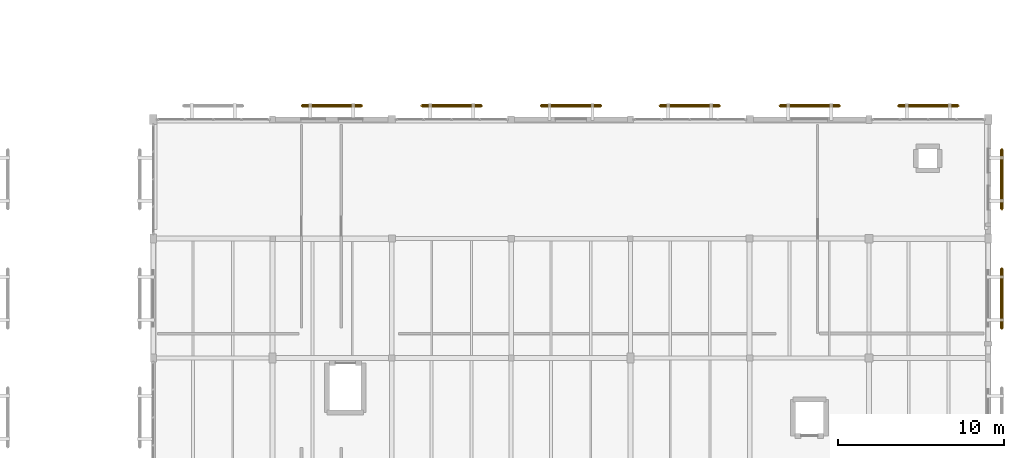
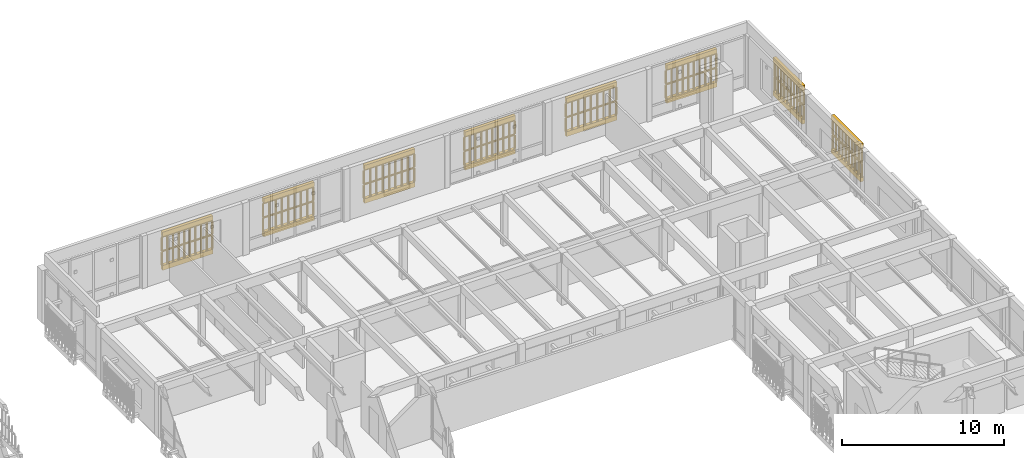
# One storey, part 217 of 217: 16 coverings, 16 railings.
"""IFC4 building model written with IfcOpenShell, lengths in metres."""

from ifc_helpers import new_model, si_unit, direction, frame, origin, origin_2d, place, context, subcontext, project, spatial, polyline, circle, outline, extrude, material, layer, layer_set, type_object, element, save


model = new_model("IFC4")

# Units and contexts
model_context = context("Model", 3, precision=1e-05, world=origin(), true_north=direction((0.0, 1.0)))
body_context = subcontext(model_context, "Body", "Model", "MODEL_VIEW")
ifc_project = project(units=[si_unit("LENGTHUNIT", "METRE"), si_unit("AREAUNIT", "SQUARE_METRE"), si_unit("VOLUMEUNIT", "CUBIC_METRE"), si_unit("PLANEANGLEUNIT", "RADIAN"), si_unit("MASSUNIT", "GRAM", prefix="KILO")], contexts=[model_context])

# Site, building, storey
site_placement = place(None, origin())
site = spatial("IfcSite", under=ifc_project, at=site_placement, CompositionType="ELEMENT")
building_placement = place(site_placement, origin())
building = spatial("IfcBuilding", under=site, at=building_placement, Name="Mazaris Harbour Polytechnic", CompositionType="ELEMENT")
storey_placement = place(building_placement, frame((0.0, 0.0, 9.60009765625)))
storey = spatial("IfcBuildingStorey", under=building, at=storey_placement, Name="L02", CompositionType="ELEMENT", Elevation=9.60009765625)

# Railings
ifc_material_1 = material(Name="Perforated Earth-Coloured Terracotta Block", Category="masonry")
railing_type = type_object("IfcRailingType", Name="Perforated Earth-Block Claustra Lattice 1040", PredefinedType="BALUSTRADE", material=ifc_material_1)
for number, where, name in (
    (1, (131.3798828125, 108.820068359375, 0.52001953125), "V5 L02 Lower Perforated Terracotta Block Screen 413"),
    (2, (131.3798828125, 108.820068359375, 1.60986328125), "V5 L02 Upper Perforated Terracotta Block Screen 413"),
):
    element("IfcRailing", number, at=place(storey_placement, frame(where)), inside=storey, type_object=railing_type, Name=name, PredefinedType="BALUSTRADE", context=body_context, shape_type="SweptSolid", body=[
        extrude(circle(Radius=0.06982421875, at=origin_2d()), frame((0.0, 0.0, 1.02001953125), z_axis=(1.0, 0.0, 0.0), x_axis=(0.0, 1.0, 0.0)), (0.0, 0.0, 1.0), 3.60009765625),
        extrude(circle(Radius=0.074951171875, at=origin_2d()), origin(), (0.0, 0.0, 1.0), 0.9501953125),
        extrude(circle(Radius=0.074951171875, at=origin_2d()), frame((0.39990234375, 0.0, 0.0)), (0.0, 0.0, 1.0), 0.9501953125),
        extrude(circle(Radius=0.074951171875, at=origin_2d()), frame((0.800048828125, 0.0, 0.0)), (0.0, 0.0, 1.0), 0.9501953125),
        extrude(circle(Radius=0.074951171875, at=origin_2d()), frame((1.199951171875, 0.0, 0.0)), (0.0, 0.0, 1.0), 0.9501953125),
        extrude(circle(Radius=0.074951171875, at=origin_2d()), frame((1.60009765625, 0.0, 0.0)), (0.0, 0.0, 1.0), 0.9501953125),
        extrude(circle(Radius=0.074951171875, at=origin_2d()), frame((2.0, 0.0, 0.0)), (0.0, 0.0, 1.0), 0.9501953125),
        extrude(circle(Radius=0.074951171875, at=origin_2d()), frame((2.400146484375, 0.0, 0.0)), (0.0, 0.0, 1.0), 0.9501953125),
        extrude(circle(Radius=0.074951171875, at=origin_2d()), frame((2.800048828125, 0.0, 0.0)), (0.0, 0.0, 1.0), 0.9501953125),
        extrude(circle(Radius=0.074951171875, at=origin_2d()), frame((3.2001953125, 0.0, 0.0)), (0.0, 0.0, 1.0), 0.9501953125),
        extrude(circle(Radius=0.074951171875, at=origin_2d()), frame((3.60009765625, 0.0, 0.0)), (0.0, 0.0, 1.0), 0.9501953125),
    ])
for number, where, name in (
    (3, (138.610107421875, 108.820068359375, 0.52001953125), "V5 L02 Lower Perforated Terracotta Block Screen 414"),
    (4, (138.610107421875, 108.820068359375, 1.60986328125), "V5 L02 Upper Perforated Terracotta Block Screen 414"),
    (5, (145.81005859375, 108.820068359375, 0.52001953125), "V5 L02 Lower Perforated Terracotta Block Screen 415"),
    (6, (145.81005859375, 108.820068359375, 1.60986328125), "V5 L02 Upper Perforated Terracotta Block Screen 415"),
):
    element("IfcRailing", number, at=place(storey_placement, frame(where)), inside=storey, type_object=railing_type, Name=name, PredefinedType="BALUSTRADE", context=body_context, shape_type="SweptSolid", body=[
        extrude(circle(Radius=0.06982421875, at=origin_2d()), frame((0.0, 0.0, 1.02001953125), z_axis=(1.0, 0.0, 0.0), x_axis=(0.0, 1.0, 0.0)), (0.0, 0.0, 1.0), 3.599853515625),
        extrude(circle(Radius=0.074951171875, at=origin_2d()), origin(), (0.0, 0.0, 1.0), 0.9501953125),
        extrude(circle(Radius=0.074951171875, at=origin_2d()), frame((0.449951171875, 0.0, 0.0)), (0.0, 0.0, 1.0), 0.9501953125),
        extrude(circle(Radius=0.074951171875, at=origin_2d()), frame((0.89990234375, 0.0, 0.0)), (0.0, 0.0, 1.0), 0.9501953125),
        extrude(circle(Radius=0.074951171875, at=origin_2d()), frame((1.349853515625, 0.0, 0.0)), (0.0, 0.0, 1.0), 0.9501953125),
        extrude(circle(Radius=0.074951171875, at=origin_2d()), frame((1.7998046875, 0.0, 0.0)), (0.0, 0.0, 1.0), 0.9501953125),
        extrude(circle(Radius=0.074951171875, at=origin_2d()), frame((2.25, 0.0, 0.0)), (0.0, 0.0, 1.0), 0.9501953125),
        extrude(circle(Radius=0.074951171875, at=origin_2d()), frame((2.699951171875, 0.0, 0.0)), (0.0, 0.0, 1.0), 0.9501953125),
        extrude(circle(Radius=0.074951171875, at=origin_2d()), frame((3.14990234375, 0.0, 0.0)), (0.0, 0.0, 1.0), 0.9501953125),
        extrude(circle(Radius=0.074951171875, at=origin_2d()), frame((3.599853515625, 0.0, 0.0)), (0.0, 0.0, 1.0), 0.9501953125),
    ])
for number, where, name in (
    (7, (152.97998046875, 108.820068359375, 0.52001953125), "V5 L02 Lower Perforated Terracotta Block Screen 416"),
    (8, (152.97998046875, 108.820068359375, 1.60986328125), "V5 L02 Upper Perforated Terracotta Block Screen 416"),
):
    element("IfcRailing", number, at=place(storey_placement, frame(where)), inside=storey, type_object=railing_type, Name=name, PredefinedType="BALUSTRADE", context=body_context, shape_type="SweptSolid", body=[
        extrude(circle(Radius=0.06982421875, at=origin_2d()), frame((0.0, 0.0, 1.02001953125), z_axis=(1.0, 0.0, 0.0), x_axis=(0.0, 1.0, 0.0)), (0.0, 0.0, 1.0), 3.60009765625),
        extrude(circle(Radius=0.074951171875, at=origin_2d()), origin(), (0.0, 0.0, 1.0), 0.9501953125),
        extrude(circle(Radius=0.074951171875, at=origin_2d()), frame((0.39990234375, 0.0, 0.0)), (0.0, 0.0, 1.0), 0.9501953125),
        extrude(circle(Radius=0.074951171875, at=origin_2d()), frame((0.800048828125, 0.0, 0.0)), (0.0, 0.0, 1.0), 0.9501953125),
        extrude(circle(Radius=0.074951171875, at=origin_2d()), frame((1.199951171875, 0.0, 0.0)), (0.0, 0.0, 1.0), 0.9501953125),
        extrude(circle(Radius=0.074951171875, at=origin_2d()), frame((1.60009765625, 0.0, 0.0)), (0.0, 0.0, 1.0), 0.9501953125),
        extrude(circle(Radius=0.074951171875, at=origin_2d()), frame((2.0, 0.0, 0.0)), (0.0, 0.0, 1.0), 0.9501953125),
        extrude(circle(Radius=0.074951171875, at=origin_2d()), frame((2.400146484375, 0.0, 0.0)), (0.0, 0.0, 1.0), 0.9501953125),
        extrude(circle(Radius=0.074951171875, at=origin_2d()), frame((2.800048828125, 0.0, 0.0)), (0.0, 0.0, 1.0), 0.9501953125),
        extrude(circle(Radius=0.074951171875, at=origin_2d()), frame((3.2001953125, 0.0, 0.0)), (0.0, 0.0, 1.0), 0.9501953125),
        extrude(circle(Radius=0.074951171875, at=origin_2d()), frame((3.60009765625, 0.0, 0.0)), (0.0, 0.0, 1.0), 0.9501953125),
    ])
for number, where, name in (
    (9, (160.22509765625, 108.820068359375, 0.52001953125), "V5 L02 Lower Perforated Terracotta Block Screen 417"),
    (10, (160.22509765625, 108.820068359375, 1.60986328125), "V5 L02 Upper Perforated Terracotta Block Screen 417"),
):
    element("IfcRailing", number, at=place(storey_placement, frame(where)), inside=storey, type_object=railing_type, Name=name, PredefinedType="BALUSTRADE", context=body_context, shape_type="SweptSolid", body=[
        extrude(circle(Radius=0.06982421875, at=origin_2d()), frame((0.0, 0.0, 1.02001953125), z_axis=(1.0, 0.0, 0.0), x_axis=(0.0, 1.0, 0.0)), (0.0, 0.0, 1.0), 3.599853515625),
        extrude(circle(Radius=0.074951171875, at=origin_2d()), origin(), (0.0, 0.0, 1.0), 0.9501953125),
        extrude(circle(Radius=0.074951171875, at=origin_2d()), frame((0.449951171875, 0.0, 0.0)), (0.0, 0.0, 1.0), 0.9501953125),
        extrude(circle(Radius=0.074951171875, at=origin_2d()), frame((0.89990234375, 0.0, 0.0)), (0.0, 0.0, 1.0), 0.9501953125),
        extrude(circle(Radius=0.074951171875, at=origin_2d()), frame((1.349853515625, 0.0, 0.0)), (0.0, 0.0, 1.0), 0.9501953125),
        extrude(circle(Radius=0.074951171875, at=origin_2d()), frame((1.7998046875, 0.0, 0.0)), (0.0, 0.0, 1.0), 0.9501953125),
        extrude(circle(Radius=0.074951171875, at=origin_2d()), frame((2.25, 0.0, 0.0)), (0.0, 0.0, 1.0), 0.9501953125),
        extrude(circle(Radius=0.074951171875, at=origin_2d()), frame((2.699951171875, 0.0, 0.0)), (0.0, 0.0, 1.0), 0.9501953125),
        extrude(circle(Radius=0.074951171875, at=origin_2d()), frame((3.14990234375, 0.0, 0.0)), (0.0, 0.0, 1.0), 0.9501953125),
        extrude(circle(Radius=0.074951171875, at=origin_2d()), frame((3.599853515625, 0.0, 0.0)), (0.0, 0.0, 1.0), 0.9501953125),
    ])
for number, where, name in (
    (11, (167.3798828125, 108.820068359375, 0.52001953125), "V5 L02 Lower Perforated Terracotta Block Screen 418"),
    (12, (167.3798828125, 108.820068359375, 1.60986328125), "V5 L02 Upper Perforated Terracotta Block Screen 418"),
):
    element("IfcRailing", number, at=place(storey_placement, frame(where)), inside=storey, type_object=railing_type, Name=name, PredefinedType="BALUSTRADE", context=body_context, shape_type="SweptSolid", body=[
        extrude(circle(Radius=0.06982421875, at=origin_2d()), frame((0.0, 0.0, 1.02001953125), z_axis=(1.0, 0.0, 0.0), x_axis=(0.0, 1.0, 0.0)), (0.0, 0.0, 1.0), 3.60009765625),
        extrude(circle(Radius=0.074951171875, at=origin_2d()), origin(), (0.0, 0.0, 1.0), 0.9501953125),
        extrude(circle(Radius=0.074951171875, at=origin_2d()), frame((0.39990234375, 0.0, 0.0)), (0.0, 0.0, 1.0), 0.9501953125),
        extrude(circle(Radius=0.074951171875, at=origin_2d()), frame((0.800048828125, 0.0, 0.0)), (0.0, 0.0, 1.0), 0.9501953125),
        extrude(circle(Radius=0.074951171875, at=origin_2d()), frame((1.199951171875, 0.0, 0.0)), (0.0, 0.0, 1.0), 0.9501953125),
        extrude(circle(Radius=0.074951171875, at=origin_2d()), frame((1.60009765625, 0.0, 0.0)), (0.0, 0.0, 1.0), 0.9501953125),
        extrude(circle(Radius=0.074951171875, at=origin_2d()), frame((2.0, 0.0, 0.0)), (0.0, 0.0, 1.0), 0.9501953125),
        extrude(circle(Radius=0.074951171875, at=origin_2d()), frame((2.400146484375, 0.0, 0.0)), (0.0, 0.0, 1.0), 0.9501953125),
        extrude(circle(Radius=0.074951171875, at=origin_2d()), frame((2.800048828125, 0.0, 0.0)), (0.0, 0.0, 1.0), 0.9501953125),
        extrude(circle(Radius=0.074951171875, at=origin_2d()), frame((3.2001953125, 0.0, 0.0)), (0.0, 0.0, 1.0), 0.9501953125),
        extrude(circle(Radius=0.074951171875, at=origin_2d()), frame((3.60009765625, 0.0, 0.0)), (0.0, 0.0, 1.0), 0.9501953125),
    ])
for number, where, name in (
    (13, (173.6201171875, 98.985107421875, 0.52001953125), "V5 L02 Lower Perforated Terracotta Block Screen 432"),
    (14, (173.6201171875, 98.985107421875, 1.60986328125), "V5 L02 Upper Perforated Terracotta Block Screen 432"),
    (15, (173.6201171875, 106.18505859375, 0.52001953125), "V5 L02 Lower Perforated Terracotta Block Screen 433"),
    (16, (173.6201171875, 106.18505859375, 1.60986328125), "V5 L02 Upper Perforated Terracotta Block Screen 433"),
):
    element("IfcRailing", number, at=place(storey_placement, frame(where)), inside=storey, type_object=railing_type, Name=name, PredefinedType="BALUSTRADE", context=body_context, shape_type="SweptSolid", body=[
        extrude(circle(Radius=0.06982421875, at=origin_2d()), frame((0.0, 0.0, 1.02001953125), z_axis=(0.0, -1.0, 0.0), x_axis=(1.0, 0.0, 0.0)), (0.0, 0.0, 1.0), 3.60009765625),
        extrude(circle(Radius=0.074951171875, at=origin_2d()), origin(), (0.0, 0.0, 1.0), 0.9501953125),
        extrude(circle(Radius=0.074951171875, at=origin_2d()), frame((0.0, -0.39990234375, 0.0)), (0.0, 0.0, 1.0), 0.9501953125),
        extrude(circle(Radius=0.074951171875, at=origin_2d()), frame((0.0, -0.800048828125, 0.0)), (0.0, 0.0, 1.0), 0.9501953125),
        extrude(circle(Radius=0.074951171875, at=origin_2d()), frame((0.0, -1.199951171875, 0.0)), (0.0, 0.0, 1.0), 0.9501953125),
        extrude(circle(Radius=0.074951171875, at=origin_2d()), frame((0.0, -1.60009765625, 0.0)), (0.0, 0.0, 1.0), 0.9501953125),
        extrude(circle(Radius=0.074951171875, at=origin_2d()), frame((0.0, -2.0, 0.0)), (0.0, 0.0, 1.0), 0.9501953125),
        extrude(circle(Radius=0.074951171875, at=origin_2d()), frame((0.0, -2.400146484375, 0.0)), (0.0, 0.0, 1.0), 0.9501953125),
        extrude(circle(Radius=0.074951171875, at=origin_2d()), frame((0.0, -2.800048828125, 0.0)), (0.0, 0.0, 1.0), 0.9501953125),
        extrude(circle(Radius=0.074951171875, at=origin_2d()), frame((0.0, -3.2001953125, 0.0)), (0.0, 0.0, 1.0), 0.9501953125),
        extrude(circle(Radius=0.074951171875, at=origin_2d()), frame((0.0, -3.60009765625, 0.0)), (0.0, 0.0, 1.0), 0.9501953125),
    ])

# Coverings
ifc_material_2 = material(Name="Perforated Earth-Coloured Terracotta Block", Category="masonry")
ifc_layer = layer(ifc_material_2, 0.219970703125, Name="Perforated Earth-Coloured Terracotta Block")
ifc_layer_set = layer_set([ifc_layer], Name="Perforated Earth-Coloured Terracotta Block")
covering_type = type_object("IfcCoveringType", Name="Terracotta Screen Course Cladding 220", PredefinedType="CLADDING", material=ifc_layer_set)
covering_1_placement = place(storey_placement, frame((0.0, 0.0, 0.159912109375)))
element("IfcCovering", 17, at=covering_1_placement, inside=storey, type_object=covering_type, Name="V5 L02 Perforated Screen Sill Course 413", PredefinedType="CLADDING", context=body_context, shape_type="SweptSolid", body=[
    extrude(outline(polyline([(131.3798828125, 108.7099609375), (134.97998046875, 108.7099609375), (134.97998046875, 108.929931640625), (131.3798828125, 108.929931640625), (131.3798828125, 108.7099609375)])), origin(), (0.0, 0.0, 1.0), 0.360107421875),
])
covering_2_placement = place(storey_placement, frame((0.0, 0.0, 2.699951171875)))
element("IfcCovering", 18, at=covering_2_placement, inside=storey, type_object=covering_type, Name="V5 L02 Perforated Screen Lintel Course 413", PredefinedType="CLADDING", context=body_context, shape_type="SweptSolid", body=[
    extrude(outline(polyline([(131.3798828125, 108.7099609375), (134.97998046875, 108.7099609375), (134.97998046875, 108.929931640625), (131.3798828125, 108.929931640625), (131.3798828125, 108.7099609375)])), origin(), (0.0, 0.0, 1.0), 0.33984375),
])
covering_3_placement = place(storey_placement, frame((0.0, 0.0, 0.159912109375)))
element("IfcCovering", 19, at=covering_3_placement, inside=storey, type_object=covering_type, Name="V5 L02 Perforated Screen Sill Course 414", PredefinedType="CLADDING", context=body_context, shape_type="SweptSolid", body=[
    extrude(outline(polyline([(138.610107421875, 108.7099609375), (142.2099609375, 108.7099609375), (142.2099609375, 108.929931640625), (138.610107421875, 108.929931640625), (138.610107421875, 108.7099609375)])), origin(), (0.0, 0.0, 1.0), 0.360107421875),
])
covering_4_placement = place(storey_placement, frame((0.0, 0.0, 2.699951171875)))
element("IfcCovering", 20, at=covering_4_placement, inside=storey, type_object=covering_type, Name="V5 L02 Perforated Screen Lintel Course 414", PredefinedType="CLADDING", context=body_context, shape_type="SweptSolid", body=[
    extrude(outline(polyline([(138.610107421875, 108.7099609375), (142.2099609375, 108.7099609375), (142.2099609375, 108.929931640625), (138.610107421875, 108.929931640625), (138.610107421875, 108.7099609375)])), origin(), (0.0, 0.0, 1.0), 0.33984375),
])
covering_5_placement = place(storey_placement, frame((0.0, 0.0, 0.159912109375)))
element("IfcCovering", 21, at=covering_5_placement, inside=storey, type_object=covering_type, Name="V5 L02 Perforated Screen Sill Course 415", PredefinedType="CLADDING", context=body_context, shape_type="SweptSolid", body=[
    extrude(outline(polyline([(145.81005859375, 108.7099609375), (149.409912109375, 108.7099609375), (149.409912109375, 108.929931640625), (145.81005859375, 108.929931640625), (145.81005859375, 108.7099609375)])), origin(), (0.0, 0.0, 1.0), 0.360107421875),
])
covering_6_placement = place(storey_placement, frame((0.0, 0.0, 2.699951171875)))
element("IfcCovering", 22, at=covering_6_placement, inside=storey, type_object=covering_type, Name="V5 L02 Perforated Screen Lintel Course 415", PredefinedType="CLADDING", context=body_context, shape_type="SweptSolid", body=[
    extrude(outline(polyline([(145.81005859375, 108.7099609375), (149.409912109375, 108.7099609375), (149.409912109375, 108.929931640625), (145.81005859375, 108.929931640625), (145.81005859375, 108.7099609375)])), origin(), (0.0, 0.0, 1.0), 0.33984375),
])
covering_7_placement = place(storey_placement, frame((0.0, 0.0, 0.159912109375)))
element("IfcCovering", 23, at=covering_7_placement, inside=storey, type_object=covering_type, Name="V5 L02 Perforated Screen Sill Course 416", PredefinedType="CLADDING", context=body_context, shape_type="SweptSolid", body=[
    extrude(outline(polyline([(152.97998046875, 108.7099609375), (156.580078125, 108.7099609375), (156.580078125, 108.929931640625), (152.97998046875, 108.929931640625), (152.97998046875, 108.7099609375)])), origin(), (0.0, 0.0, 1.0), 0.360107421875),
])
covering_8_placement = place(storey_placement, frame((0.0, 0.0, 2.699951171875)))
element("IfcCovering", 24, at=covering_8_placement, inside=storey, type_object=covering_type, Name="V5 L02 Perforated Screen Lintel Course 416", PredefinedType="CLADDING", context=body_context, shape_type="SweptSolid", body=[
    extrude(outline(polyline([(152.97998046875, 108.7099609375), (156.580078125, 108.7099609375), (156.580078125, 108.929931640625), (152.97998046875, 108.929931640625), (152.97998046875, 108.7099609375)])), origin(), (0.0, 0.0, 1.0), 0.33984375),
])
covering_9_placement = place(storey_placement, frame((0.0, 0.0, 0.159912109375)))
element("IfcCovering", 25, at=covering_9_placement, inside=storey, type_object=covering_type, Name="V5 L02 Perforated Screen Sill Course 417", PredefinedType="CLADDING", context=body_context, shape_type="SweptSolid", body=[
    extrude(outline(polyline([(160.22509765625, 108.7099609375), (163.824951171875, 108.7099609375), (163.824951171875, 108.929931640625), (160.22509765625, 108.929931640625), (160.22509765625, 108.7099609375)])), origin(), (0.0, 0.0, 1.0), 0.360107421875),
])
covering_10_placement = place(storey_placement, frame((0.0, 0.0, 2.699951171875)))
element("IfcCovering", 26, at=covering_10_placement, inside=storey, type_object=covering_type, Name="V5 L02 Perforated Screen Lintel Course 417", PredefinedType="CLADDING", context=body_context, shape_type="SweptSolid", body=[
    extrude(outline(polyline([(160.22509765625, 108.7099609375), (163.824951171875, 108.7099609375), (163.824951171875, 108.929931640625), (160.22509765625, 108.929931640625), (160.22509765625, 108.7099609375)])), origin(), (0.0, 0.0, 1.0), 0.33984375),
])
covering_11_placement = place(storey_placement, frame((0.0, 0.0, 0.159912109375)))
element("IfcCovering", 27, at=covering_11_placement, inside=storey, type_object=covering_type, Name="V5 L02 Perforated Screen Sill Course 418", PredefinedType="CLADDING", context=body_context, shape_type="SweptSolid", body=[
    extrude(outline(polyline([(167.3798828125, 108.7099609375), (170.97998046875, 108.7099609375), (170.97998046875, 108.929931640625), (167.3798828125, 108.929931640625), (167.3798828125, 108.7099609375)])), origin(), (0.0, 0.0, 1.0), 0.360107421875),
])
covering_12_placement = place(storey_placement, frame((0.0, 0.0, 2.699951171875)))
element("IfcCovering", 28, at=covering_12_placement, inside=storey, type_object=covering_type, Name="V5 L02 Perforated Screen Lintel Course 418", PredefinedType="CLADDING", context=body_context, shape_type="SweptSolid", body=[
    extrude(outline(polyline([(167.3798828125, 108.7099609375), (170.97998046875, 108.7099609375), (170.97998046875, 108.929931640625), (167.3798828125, 108.929931640625), (167.3798828125, 108.7099609375)])), origin(), (0.0, 0.0, 1.0), 0.33984375),
])
covering_13_placement = place(storey_placement, frame((0.0, 0.0, 0.159912109375)))
element("IfcCovering", 29, at=covering_13_placement, inside=storey, type_object=covering_type, Name="V5 L02 Perforated Screen Sill Course 432", PredefinedType="CLADDING", context=body_context, shape_type="SweptSolid", body=[
    extrude(outline(polyline([(173.510009765625, 98.985107421875), (173.510009765625, 95.385009765625), (173.72998046875, 95.385009765625), (173.72998046875, 98.985107421875), (173.510009765625, 98.985107421875)])), origin(), (0.0, 0.0, 1.0), 0.360107421875),
])
covering_14_placement = place(storey_placement, frame((0.0, 0.0, 2.699951171875)))
element("IfcCovering", 30, at=covering_14_placement, inside=storey, type_object=covering_type, Name="V5 L02 Perforated Screen Lintel Course 432", PredefinedType="CLADDING", context=body_context, shape_type="SweptSolid", body=[
    extrude(outline(polyline([(173.510009765625, 98.985107421875), (173.510009765625, 95.385009765625), (173.72998046875, 95.385009765625), (173.72998046875, 98.985107421875), (173.510009765625, 98.985107421875)])), origin(), (0.0, 0.0, 1.0), 0.33984375),
])
covering_15_placement = place(storey_placement, frame((0.0, 0.0, 0.159912109375)))
element("IfcCovering", 31, at=covering_15_placement, inside=storey, type_object=covering_type, Name="V5 L02 Perforated Screen Sill Course 433", PredefinedType="CLADDING", context=body_context, shape_type="SweptSolid", body=[
    extrude(outline(polyline([(173.510009765625, 106.18505859375), (173.510009765625, 102.5849609375), (173.72998046875, 102.5849609375), (173.72998046875, 106.18505859375), (173.510009765625, 106.18505859375)])), origin(), (0.0, 0.0, 1.0), 0.360107421875),
])
covering_16_placement = place(storey_placement, frame((0.0, 0.0, 2.699951171875)))
element("IfcCovering", 32, at=covering_16_placement, inside=storey, type_object=covering_type, Name="V5 L02 Perforated Screen Lintel Course 433", PredefinedType="CLADDING", context=body_context, shape_type="SweptSolid", body=[
    extrude(outline(polyline([(173.510009765625, 106.18505859375), (173.510009765625, 102.5849609375), (173.72998046875, 102.5849609375), (173.72998046875, 106.18505859375), (173.510009765625, 106.18505859375)])), origin(), (0.0, 0.0, 1.0), 0.33984375),
])

save(model, "model.ifc")
